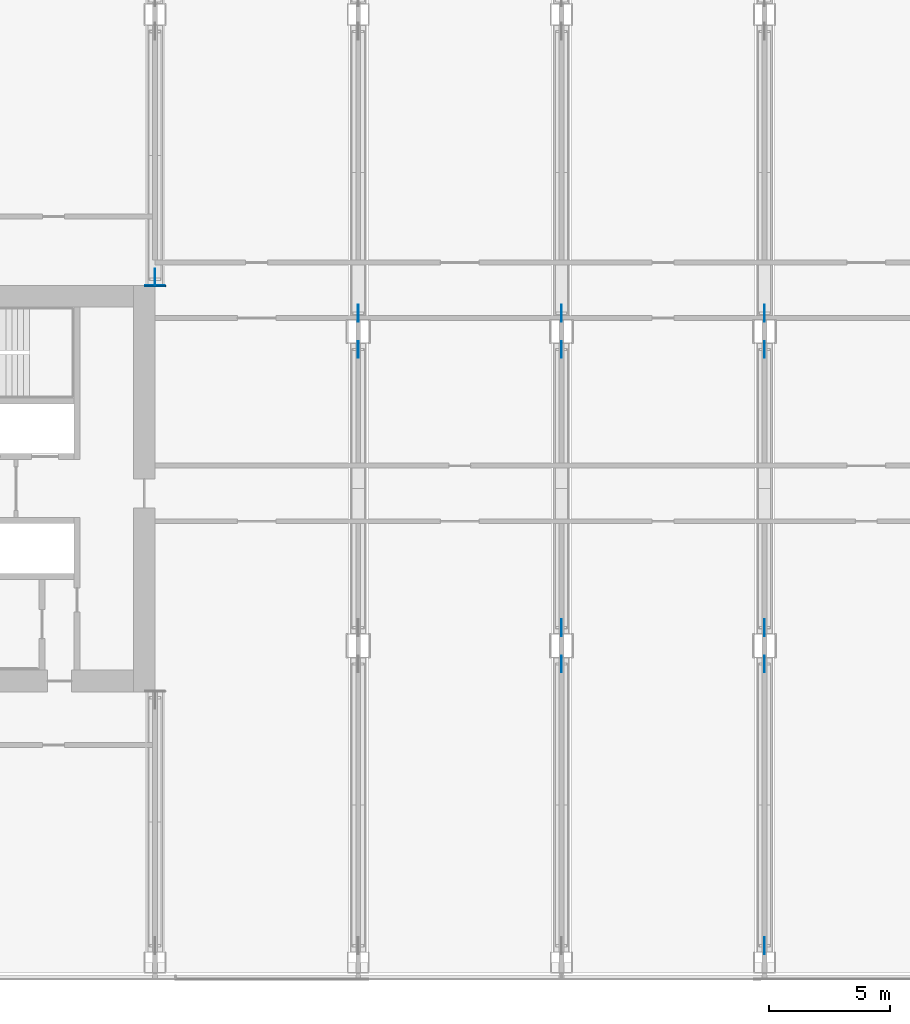
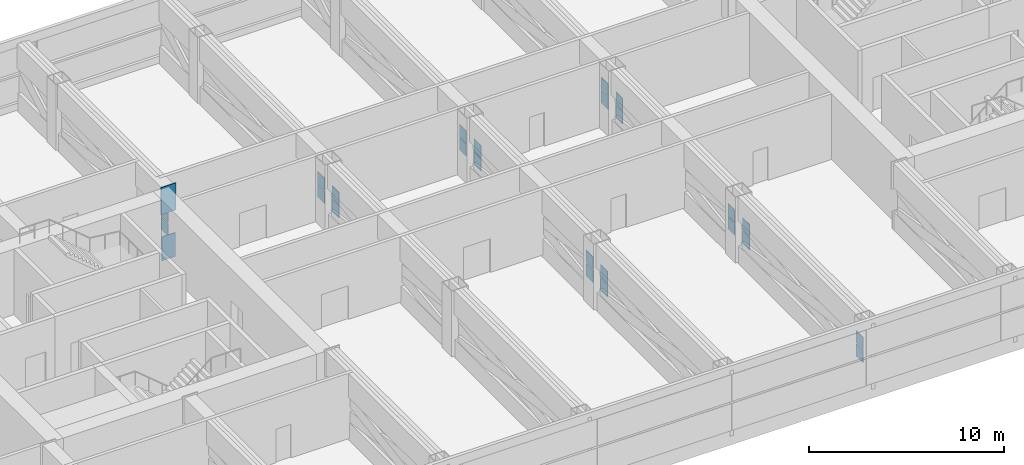
# One storey, part 22 of 30: 26 discrete accessories.
"""IFC4 building model written with IfcOpenShell, lengths in metres."""

import ifcopenshell
import ifcopenshell.guid

model = None  # the IFC model being written
_history = None  # IfcOwnerHistory: only IFC2X3 demands one
_inside = {}  # id of a spatial element -> (the spatial element, [elements in it])
_under = {}  # id of a project, library or spatial element -> (it, [spatial elements below it])
_declared = {}  # id of a project -> (the project, [libraries it declares])
_typed = {}  # id of a type object -> (the type object, [elements of that type])
_made_of = {}  # id of a material, layer set ... -> (it, [elements and type objects made of it])


def new_model(schema):
    """Start an empty IFC model of exactly this schema.

    Asked for "IFC4X3", IfcOpenShell would pick the latest addendum, in which some entities
    have other attributes; the version numbers below select the first issue.
    IFC2X3 requires an IfcOwnerHistory on every rooted entity: one is made here for all.
    """
    global model, _history
    if schema == "IFC4X3":
        model = ifcopenshell.file(schema_version=(4, 3, 0, 0))
    else:
        model = ifcopenshell.file(schema=schema)
    _inside.clear()
    _under.clear()
    _declared.clear()
    _typed.clear()
    _made_of.clear()
    _history = None
    if model.schema == "IFC2X3":
        org = make("IfcOrganization", Name="unknown")
        user = make(
            "IfcPersonAndOrganization",
            ThePerson=make("IfcPerson", FamilyName="unknown"),
            TheOrganization=org,
        )
        app = make(
            "IfcApplication",
            ApplicationDeveloper=org,
            Version="unknown",
            ApplicationFullName="unknown",
            ApplicationIdentifier="unknown",
        )
        _history = make(
            "IfcOwnerHistory",
            OwningUser=user,
            OwningApplication=app,
            ChangeAction="ADDED",
            CreationDate=0,
        )
    return model


def make(cls, **values):
    """One entity of the class cls with the attributes given. An attribute that is None is left unset."""
    return model.create_entity(
        cls, **{name: value for name, value in values.items() if value is not None}
    )


def rooted(cls, **values):
    """An entity with a GlobalId (a new one), such as an element, a storey or a relation."""
    return make(cls, GlobalId=ifcopenshell.guid.new(), OwnerHistory=_history, **values)


def si_unit(unit_type, name, prefix=None):
    """IfcSIUnit, for example si_unit("LENGTHUNIT", "METRE", prefix="MILLI")."""
    return make("IfcSIUnit", UnitType=unit_type, Prefix=prefix, Name=name)


def assignment(units):
    """IfcUnitAssignment: the units of a project."""
    return None if units is None else make("IfcUnitAssignment", Units=units)


def point(xyz):
    """IfcCartesianPoint."""
    return None if xyz is None else make("IfcCartesianPoint", Coordinates=xyz)


def direction(xyz):
    """IfcDirection."""
    return None if xyz is None else make("IfcDirection", DirectionRatios=xyz)


def frame(location, z_axis=None, x_axis=None):
    """IfcAxis2Placement3D, a coordinate frame: its origin and axes. An axis left out is left unset."""
    return make(
        "IfcAxis2Placement3D",
        Location=point(location),
        Axis=direction(z_axis),
        RefDirection=direction(x_axis),
    )


def frame_2d(location, x_axis=None):
    """IfcAxis2Placement2D, a coordinate frame in the plane: its origin and x axis."""
    return make(
        "IfcAxis2Placement2D", Location=point(location), RefDirection=direction(x_axis)
    )


def origin():
    """The frame at (0, 0, 0) with its axes left unset."""
    return frame((0.0, 0.0, 0.0))


def origin_2d():
    """The frame at (0, 0) in the plane with its x axis left unset."""
    return frame_2d((0.0, 0.0))


def place(relative_to, where):
    """IfcLocalPlacement: puts the frame where relative to a parent placement (None: the world)."""
    return make(
        "IfcLocalPlacement", PlacementRelTo=relative_to, RelativePlacement=where
    )


def context(
    kind, dimensions, precision=None, world=None, true_north=None, identifier=None
):
    """IfcGeometricRepresentationContext, for example the 3D "Model" context."""
    return make(
        "IfcGeometricRepresentationContext",
        ContextIdentifier=identifier,
        ContextType=kind,
        CoordinateSpaceDimension=dimensions,
        Precision=precision,
        WorldCoordinateSystem=world,
        TrueNorth=true_north,
    )


def subcontext(parent, identifier, kind, view, scale=None):
    """IfcGeometricRepresentationSubContext, for example "Body" below "Model"."""
    return make(
        "IfcGeometricRepresentationSubContext",
        ContextIdentifier=identifier,
        ContextType=kind,
        ParentContext=parent,
        TargetScale=scale,
        TargetView=view,
    )


def project(units=None, contexts=None):
    """IfcProject with its units and contexts."""
    return rooted(
        "IfcProject",
        Name="project",
        RepresentationContexts=contexts,
        UnitsInContext=assignment(units),
    )


def spatial(cls, under=None, at=None, **own):
    """A site, building, storey or space (cls), placed at a placement, below another one or the project."""
    s = rooted(cls, ObjectPlacement=at, **own)
    if under is not None:
        _under.setdefault(under.id(), (under, []))[1].append(s)
    return s


def profile(cls, at=None, kind="AREA", **sizes):
    """A parametric profile (cls). Its sizes go by their IFC names, for example OverallWidth=200.0."""
    return make(cls, ProfileType=kind, Position=at, **sizes)


def rectangle(**sizes):
    """IfcRectangleProfileDef."""
    return profile("IfcRectangleProfileDef", **sizes)


def extrude(swept, where, along, depth):
    """IfcExtrudedAreaSolid: the profile swept, set in the frame where, extruded along a direction by depth."""
    return make(
        "IfcExtrudedAreaSolid",
        SweptArea=swept,
        Position=where,
        ExtrudedDirection=direction(along),
        Depth=depth,
    )


def shape(context_of_items, identifier, shape_type, items):
    """IfcShapeRepresentation: the items that make up one representation, for example the "Body"."""
    return make(
        "IfcShapeRepresentation",
        ContextOfItems=context_of_items,
        RepresentationIdentifier=identifier,
        RepresentationType=shape_type,
        Items=items,
    )


def material(Name=None, Category=None):
    """IfcMaterial."""
    return make("IfcMaterial", Name=Name, Category=Category)


def material_profile(
    of_material, cross_section, Name=None, Category=None, Priority=None
):
    """IfcMaterialProfile: a cross section and its material."""
    return make(
        "IfcMaterialProfile",
        Name=Name,
        Material=of_material,
        Profile=cross_section,
        Priority=Priority,
        Category=Category,
    )


def profile_set(profiles, Name=None, composite=None):
    """IfcMaterialProfileSet."""
    return make(
        "IfcMaterialProfileSet",
        Name=Name,
        MaterialProfiles=profiles,
        CompositeProfile=composite,
    )


def made_of(thing, what):
    """Note that an element or type object is made of a material, layer set ...; save() writes the relation."""
    if what is not None:
        _made_of.setdefault(what.id(), (what, []))[1].append(thing)
    return thing


def type_object(cls, material=None, **own):
    """A type object (cls), such as IfcWallType, which elements share."""
    return made_of(rooted(cls, **own), material)


def element(
    cls,
    number,
    at=None,
    inside=None,
    cuts=None,
    type_object=None,
    material=None,
    context=None,
    identifier="Body",
    shape_type=None,
    held_by="IfcProductDefinitionShape",
    body=None,
    shapes=None,
    **own,
):
    """One element of the class cls, such as IfcWall. Its Tag is "e" and its number.

    at: its placement. inside: the storey or other place that contains it. cuts: it is an
    opening in that element (IfcRelVoidsElement). A single representation is given by context,
    identifier, shape_type and body (its items); several are given by shapes. held_by: the class
    of the entity that holds the representations. save() writes the other relations.
    """
    e = rooted(cls, Tag="e%d" % number, ObjectPlacement=at, **own)
    if body is not None:
        shapes = [shape(context, identifier, shape_type, body)]
    if shapes is not None:
        e.Representation = make(held_by, Representations=shapes)
    if inside is not None:
        _inside.setdefault(inside.id(), (inside, []))[1].append(e)
    if cuts is not None:
        rooted(
            "IfcRelVoidsElement", RelatingBuildingElement=cuts, RelatedOpeningElement=e
        )
    if type_object is not None:
        _typed.setdefault(type_object.id(), (type_object, []))[1].append(e)
    return made_of(e, material)


def aggregate(whole, parts):
    """IfcRelAggregates: a whole, such as a stair, and the parts it consists of."""
    return rooted("IfcRelAggregates", RelatingObject=whole, RelatedObjects=parts)


def save(model, path):
    """Write the relations noted so far, then the file.

    IfcRelAggregates (storeys below a building ...), IfcRelContainedInSpatialStructure (elements
    in a storey), IfcRelDefinesByType, IfcRelAssociatesMaterial and IfcRelDeclares: one each for
    every whole, place, type object, material and project.
    """
    for whole, parts in _under.values():
        aggregate(whole, parts)
    for where, things in _inside.values():
        rooted(
            "IfcRelContainedInSpatialStructure",
            RelatedElements=things,
            RelatingStructure=where,
        )
    for kind, things in _typed.values():
        rooted("IfcRelDefinesByType", RelatedObjects=things, RelatingType=kind)
    for what, things in _made_of.values():
        rooted("IfcRelAssociatesMaterial", RelatedObjects=things, RelatingMaterial=what)
    for by, libraries in _declared.values():
        rooted("IfcRelDeclares", RelatingContext=by, RelatedDefinitions=libraries)
    model.write(path)


model = new_model("IFC4")

# Units and contexts
model_context = context("Model", 3, precision=1e-05, world=origin(), true_north=direction((0.0, 1.0)))
body_context = subcontext(model_context, "Body", "Model", "MODEL_VIEW")
ifc_project = project(units=[si_unit("LENGTHUNIT", "METRE"), si_unit("AREAUNIT", "SQUARE_METRE"), si_unit("VOLUMEUNIT", "CUBIC_METRE"), si_unit("PLANEANGLEUNIT", "RADIAN"), si_unit("MASSUNIT", "GRAM", prefix="KILO")], contexts=[model_context])

# Site, building, storey
site_placement = place(None, origin())
site = spatial("IfcSite", under=ifc_project, at=site_placement, CompositionType="ELEMENT")
building_placement = place(site_placement, origin())
building = spatial("IfcBuilding", under=site, at=building_placement, Name="Hakoniwa Tower and Hamabe Station Hall", CompositionType="ELEMENT")
storey_placement = place(building_placement, frame((0.0, 0.0, 64.60009765625)))
storey = spatial("IfcBuildingStorey", under=building, at=storey_placement, Name="L18", CompositionType="ELEMENT", Elevation=64.60009765625)

# Discrete accessories
ifc_material_1 = material(Name="Steel SN490C", Category="steel")
ifc_material_profile_1 = material_profile(ifc_material_1, rectangle(XDim=0.800048828125, YDim=1.5, at=origin_2d()), Name="CAST-IN PLATE BX-1300x600x50")
ifc_profile_set_1 = profile_set([ifc_material_profile_1], Name="Steel SN490C")
discrete_accessory_type_1 = type_object("IfcDiscreteAccessoryType", Name="CAST-IN PLATE BX-1300x600x50", PredefinedType="ANCHORPLATE", material=ifc_profile_set_1)
discrete_accessory_1_placement = place(storey_placement, frame((-16.800048828125, 8.360107421875, 0.349853515625), z_axis=(0.0, 1.0, 0.0), x_axis=(-1.0, 0.0, 0.0)))
element("IfcDiscreteAccessory", 1, at=discrete_accessory_1_placement, inside=storey, type_object=discrete_accessory_type_1, Name="Cast-in plate T1-11-BC01", PredefinedType="ANCHORPLATE", context=body_context, shape_type="SweptSolid", body=[
    extrude(rectangle(XDim=0.800048828125, YDim=1.5, at=origin_2d()), origin(), (0.0, 0.0, 1.0), 0.039794921875),
])
ifc_material_2 = material(Name="Steel SN490C", Category="steel")
ifc_material_profile_2 = material_profile(ifc_material_2, rectangle(XDim=0.89990234375, YDim=1.699951171875, at=origin_2d()), Name="CAST-IN PLATE BX-1500x700x55")
ifc_profile_set_2 = profile_set([ifc_material_profile_2], Name="Steel SN490C")
discrete_accessory_type_2 = type_object("IfcDiscreteAccessoryType", Name="CAST-IN PLATE BX-1500x700x55", PredefinedType="ANCHORPLATE", material=ifc_profile_set_2)
discrete_accessory_2_placement = place(storey_placement, frame((-16.800048828125, 8.35498046875, 3.349853515625), z_axis=(0.0, 1.0, 0.0), x_axis=(-1.0, 0.0, 0.0)))
element("IfcDiscreteAccessory", 2, at=discrete_accessory_2_placement, inside=storey, type_object=discrete_accessory_type_2, Name="Cast-in plate T1-11-TC01", PredefinedType="ANCHORPLATE", context=body_context, shape_type="SweptSolid", body=[
    extrude(rectangle(XDim=0.89990234375, YDim=1.699951171875, at=origin_2d()), origin(), (0.0, 0.0, 1.0), 0.044921875),
])
ifc_material_3 = material(Name="Steel SN490C", Category="steel")
ifc_material_profile_3 = material_profile(ifc_material_3, rectangle(XDim=0.699951171875, YDim=0.77001953125, at=origin_2d()), Name="GUSSET PLATE BX-700x500x32")
ifc_profile_set_3 = profile_set([ifc_material_profile_3], Name="Steel SN490C")
discrete_accessory_type_3 = type_object("IfcDiscreteAccessoryType", Name="GUSSET PLATE BX-700x500x32", PredefinedType="USERDEFINED", material=ifc_profile_set_3)
for number, where, z_axis, x_axis, name in (
    (3, (-16.784912109375, 8.75, 1.385009765625), (-1.0, 0.0, 0.0), (0.0, -1.0, 0.0), "Gusset plate T1-011-D01A"),
    (4, (-16.784912109375, 8.75, 2.21484375), (-1.0, 0.0, 0.0), (0.0, -1.0, 0.0), "Gusset plate T1-011-D01B"),
    (5, (-8.385009765625, 5.75, 2.21484375), (-1.0, 0.0, 0.0), (0.0, -1.0, 0.0), "Gusset plate T1-012-D02A"),
    (6, (-8.385009765625, 5.75, 1.385009765625), (-1.0, 0.0, 0.0), (0.0, -1.0, 0.0), "Gusset plate T1-012-D02B"),
    (7, (-8.385009765625, 7.25, 1.385009765625), (-1.0, 0.0, 0.0), (0.0, -1.0, 0.0), "Gusset plate T1-012-D03A"),
    (8, (-8.385009765625, 7.25, 2.21484375), (-1.0, 0.0, 0.0), (0.0, -1.0, 0.0), "Gusset plate T1-012-D03B"),
):
    element("IfcDiscreteAccessory", number, at=place(storey_placement, frame(where, z_axis=z_axis, x_axis=x_axis)), inside=storey, type_object=discrete_accessory_type_3, Name=name, ObjectType="GUSSET PLATE", PredefinedType="USERDEFINED", context=body_context, shape_type="SweptSolid", body=[
        extrude(rectangle(XDim=0.699951171875, YDim=0.77001953125, at=origin_2d()), origin(), (0.0, 0.0, 1.0), 0.030029296875),
    ])
for number, where, z_axis, x_axis, name in (
    (9, (0.014892578125, -7.25, 2.21484375), (-1.0, 0.0, 0.0), (0.0, -1.0, 0.0), "Gusset plate T1-013-D01A"),
    (10, (0.014892578125, -7.25, 1.385009765625), (-1.0, 0.0, 0.0), (0.0, -1.0, 0.0), "Gusset plate T1-013-D01B"),
    (11, (0.014892578125, -5.75, 1.385009765625), (-1.0, 0.0, 0.0), (0.0, -1.0, 0.0), "Gusset plate T1-013-D02A"),
    (12, (0.014892578125, 5.75, 2.21484375), (-1.0, 0.0, 0.0), (0.0, -1.0, 0.0), "Gusset plate T1-013-D02A"),
    (13, (0.014892578125, -5.75, 2.21484375), (-1.0, 0.0, 0.0), (0.0, -1.0, 0.0), "Gusset plate T1-013-D02B"),
    (14, (0.014892578125, 5.75, 1.385009765625), (-1.0, 0.0, 0.0), (0.0, -1.0, 0.0), "Gusset plate T1-013-D02B"),
    (15, (0.014892578125, 7.25, 1.385009765625), (-1.0, 0.0, 0.0), (0.0, -1.0, 0.0), "Gusset plate T1-013-D03A"),
    (16, (0.014892578125, 7.25, 2.21484375), (-1.0, 0.0, 0.0), (0.0, -1.0, 0.0), "Gusset plate T1-013-D03B"),
):
    element("IfcDiscreteAccessory", number, at=place(storey_placement, frame(where, z_axis=z_axis, x_axis=x_axis)), inside=storey, type_object=discrete_accessory_type_3, Name=name, ObjectType="GUSSET PLATE", PredefinedType="USERDEFINED", context=body_context, shape_type="SweptSolid", body=[
        extrude(rectangle(XDim=0.699951171875, YDim=0.77001953125, at=origin_2d()), origin(), (0.0, 0.0, 1.0), 0.02978515625),
    ])
for number, where, z_axis, x_axis, name in (
    (17, (8.4150390625, -18.89990234375, 1.385009765625), (-1.0, 0.0, 0.0), (0.0, -1.0, 0.0), "Gusset plate T1-014-D01A"),
    (18, (8.4150390625, -7.25, 2.21484375), (-1.0, 0.0, 0.0), (0.0, -1.0, 0.0), "Gusset plate T1-014-D01A"),
    (19, (8.4150390625, -18.89990234375, 2.21484375), (-1.0, 0.0, 0.0), (0.0, -1.0, 0.0), "Gusset plate T1-014-D01B"),
    (20, (8.4150390625, -7.25, 1.385009765625), (-1.0, 0.0, 0.0), (0.0, -1.0, 0.0), "Gusset plate T1-014-D01B"),
    (21, (8.4150390625, -5.75, 1.385009765625), (-1.0, 0.0, 0.0), (0.0, -1.0, 0.0), "Gusset plate T1-014-D02A"),
    (22, (8.4150390625, 5.75, 2.21484375), (-1.0, 0.0, 0.0), (0.0, -1.0, 0.0), "Gusset plate T1-014-D02A"),
    (23, (8.4150390625, -5.75, 2.21484375), (-1.0, 0.0, 0.0), (0.0, -1.0, 0.0), "Gusset plate T1-014-D02B"),
    (24, (8.4150390625, 5.75, 1.385009765625), (-1.0, 0.0, 0.0), (0.0, -1.0, 0.0), "Gusset plate T1-014-D02B"),
    (25, (8.4150390625, 7.25, 1.385009765625), (-1.0, 0.0, 0.0), (0.0, -1.0, 0.0), "Gusset plate T1-014-D03A"),
    (26, (8.4150390625, 7.25, 2.21484375), (-1.0, 0.0, 0.0), (0.0, -1.0, 0.0), "Gusset plate T1-014-D03B"),
):
    element("IfcDiscreteAccessory", number, at=place(storey_placement, frame(where, z_axis=z_axis, x_axis=x_axis)), inside=storey, type_object=discrete_accessory_type_3, Name=name, ObjectType="GUSSET PLATE", PredefinedType="USERDEFINED", context=body_context, shape_type="SweptSolid", body=[
        extrude(rectangle(XDim=0.699951171875, YDim=0.77001953125, at=origin_2d()), origin(), (0.0, 0.0, 1.0), 0.030029296875),
    ])

save(model, "model.ifc")
